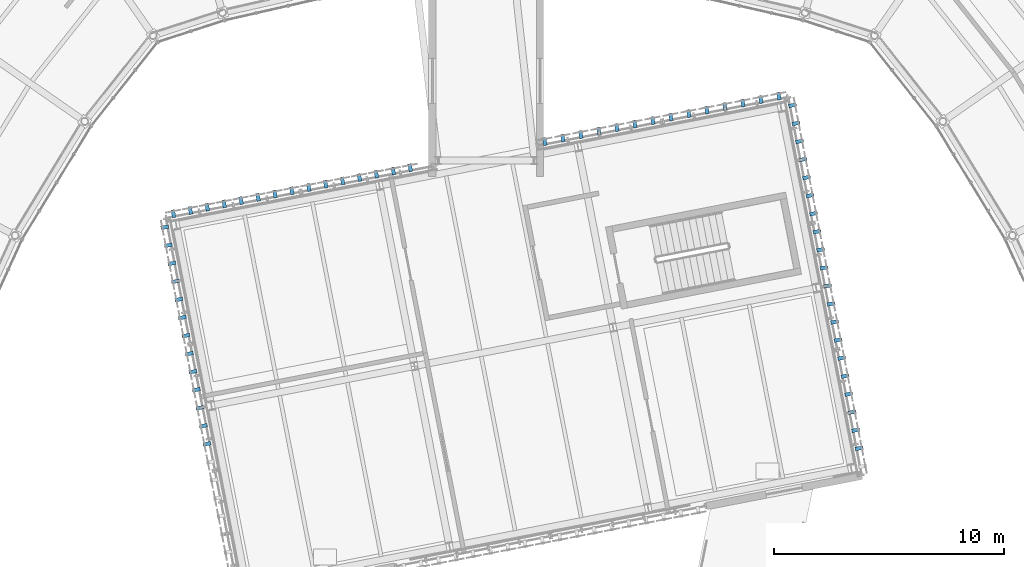
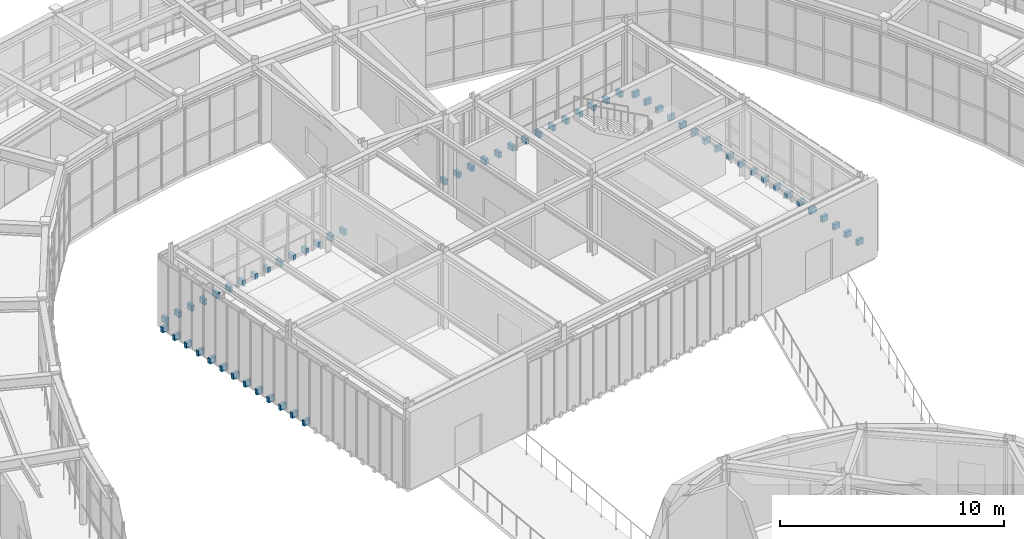
# One storey, part 87 of 103: 62 discrete accessories.
"""IFC4 building model written with IfcOpenShell, lengths in metres."""

from ifc_helpers import new_model, si_unit, direction, frame, origin, origin_2d, place, context, subcontext, project, spatial, rectangle, extrude, material, type_object, element, save


model = new_model("IFC4")

# Units and contexts
model_context = context("Model", 3, precision=1e-05, world=origin(), true_north=direction((0.0, 1.0)))
body_context = subcontext(model_context, "Body", "Model", "MODEL_VIEW")
ifc_project = project(units=[si_unit("LENGTHUNIT", "METRE"), si_unit("AREAUNIT", "SQUARE_METRE"), si_unit("VOLUMEUNIT", "CUBIC_METRE"), si_unit("PLANEANGLEUNIT", "RADIAN"), si_unit("MASSUNIT", "GRAM", prefix="KILO")], contexts=[model_context])

# Site, building, storey
site_placement = place(None, origin())
site = spatial("IfcSite", under=ifc_project, at=site_placement, CompositionType="ELEMENT")
building_placement = place(site_placement, origin())
building = spatial("IfcBuilding", under=site, at=building_placement, Name="Varnklinge Art Gallery", CompositionType="ELEMENT")
storey_placement = place(building_placement, frame((0.0, 0.0, 5.10009765625)))
storey = spatial("IfcBuildingStorey", under=building, at=storey_placement, Name="L01", CompositionType="ELEMENT", Elevation=5.10009765625)

# Discrete accessories
ifc_material = material(Name="Steel S355", Category="steel")
discrete_accessory_type = type_object("IfcDiscreteAccessoryType", Name="BRK-01", PredefinedType="BRACKET", material=ifc_material)
for number, where, z_axis, x_axis, name in (
    (1, (90.5283203125, 68.08642578125, -0.0703125), (0.0, 0.0, 1.0), (-0.190808995377, 0.981627183448, 0.0), "L01 Lattice Outrigger Bracket 2.1.2"),
    (2, (90.375732421875, 68.87158203125, -0.0703125), (0.0, 0.0, 1.0), (-0.190808995377, 0.981627183448, 0.0), "L01 Lattice Outrigger Bracket 2.1.3"),
    (3, (90.222900390625, 69.656982421875, -0.0703125), (0.0, 0.0, 1.0), (-0.190808995377, 0.981627183448, 0.0), "L01 Lattice Outrigger Bracket 2.1.4"),
    (4, (90.0703125, 70.4423828125, -0.0703125), (0.0, 0.0, 1.0), (-0.190808995377, 0.981627183448, 0.0), "L01 Lattice Outrigger Bracket 2.1.5"),
    (5, (89.917724609375, 71.2275390625, -0.0703125), (0.0, 0.0, 1.0), (-0.190808995377, 0.981627183448, 0.0), "L01 Lattice Outrigger Bracket 2.1.6"),
    (6, (89.76513671875, 72.012939453125, -0.0703125), (0.0, 0.0, 1.0), (-0.190808995377, 0.981627183448, 0.0), "L01 Lattice Outrigger Bracket 2.1.7"),
    (7, (89.6123046875, 72.798095703125, -0.0703125), (0.0, 0.0, 1.0), (-0.190808995377, 0.981627183448, 0.0), "L01 Lattice Outrigger Bracket 2.2.1"),
    (8, (89.459716796875, 73.58349609375, -0.0703125), (0.0, 0.0, 1.0), (-0.190808995377, 0.981627183448, 0.0), "L01 Lattice Outrigger Bracket 2.2.2"),
    (9, (89.30712890625, 74.368896484375, -0.0703125), (0.0, 0.0, 1.0), (-0.190808995377, 0.981627183448, 0.0), "L01 Lattice Outrigger Bracket 2.2.3"),
    (10, (89.154541015625, 75.154052734375, -0.0703125), (0.0, 0.0, 1.0), (-0.190808995377, 0.981627183448, 0.0), "L01 Lattice Outrigger Bracket 2.2.4"),
    (11, (89.001708984375, 75.939453125, -0.0703125), (0.0, 0.0, 1.0), (-0.190808995377, 0.981627183448, 0.0), "L01 Lattice Outrigger Bracket 2.2.5"),
    (12, (88.84912109375, 76.724609375, -0.0703125), (0.0, 0.0, 1.0), (-0.190808995377, 0.981627183448, 0.0), "L01 Lattice Outrigger Bracket 2.2.6"),
    (13, (88.696533203125, 77.510009765625, -0.0703125), (0.0, 0.0, 1.0), (-0.190808995377, 0.981627183448, 0.0), "L01 Lattice Outrigger Bracket 2.2.7"),
    (14, (88.5439453125, 78.29541015625, -0.0703125), (0.0, 0.0, 1.0), (-0.190808995377, 0.981627183448, 0.0), "L01 Lattice Outrigger Bracket 2.3.1"),
    (15, (88.39111328125, 79.08056640625, -0.0703125), (0.0, 0.0, 1.0), (-0.190808995377, 0.981627183448, 0.0), "L01 Lattice Outrigger Bracket 2.3.2"),
    (16, (88.238525390625, 79.865966796875, -0.0703125), (0.0, 0.0, 1.0), (-0.190808995377, 0.981627183448, 0.0), "L01 Lattice Outrigger Bracket 2.3.3"),
    (17, (88.0859375, 80.651123046875, -0.0703125), (0.0, 0.0, 1.0), (-0.190808995377, 0.981627183448, 0.0), "L01 Lattice Outrigger Bracket 2.3.4"),
    (18, (87.933349609375, 81.4365234375, -0.0703125), (0.0, 0.0, 1.0), (-0.190808995377, 0.981627183448, 0.0), "L01 Lattice Outrigger Bracket 2.3.5"),
    (19, (87.78076171875, 82.2216796875, -0.0703125), (0.0, 0.0, 1.0), (-0.190808995377, 0.981627183448, 0.0), "L01 Lattice Outrigger Bracket 2.3.6"),
    (20, (87.6279296875, 83.007080078125, -0.0703125), (0.0, 0.0, 1.0), (-0.190808995377, 0.981627183448, 0.0), "L01 Lattice Outrigger Bracket 2.3.7"),
    (21, (87.03125, 83.41064453125, -0.0703125), (0.0, 0.0, 1.0), (-0.981627183448, -0.190808995377, 0.0), "L01 Lattice Outrigger Bracket 3.1.1"),
    (22, (86.248046875, 83.25830078125, -0.0703125), (0.0, 0.0, 1.0), (-0.981627183448, -0.190808995377, 0.0), "L01 Lattice Outrigger Bracket 3.1.2"),
    (23, (85.46484375, 83.106201171875, -0.0703125), (0.0, 0.0, 1.0), (-0.981627183448, -0.190808995377, 0.0), "L01 Lattice Outrigger Bracket 3.1.3"),
    (24, (84.681884765625, 82.9541015625, -0.0703125), (0.0, 0.0, 1.0), (-0.981627183448, -0.190808995377, 0.0), "L01 Lattice Outrigger Bracket 3.1.4"),
    (25, (83.898681640625, 82.8017578125, -0.0703125), (0.0, 0.0, 1.0), (-0.981627183448, -0.190808995377, 0.0), "L01 Lattice Outrigger Bracket 3.1.5"),
    (26, (83.115478515625, 82.649658203125, -0.0703125), (0.0, 0.0, 1.0), (-0.981627183448, -0.190808995377, 0.0), "L01 Lattice Outrigger Bracket 3.1.6"),
    (27, (82.33251953125, 82.497314453125, -0.0703125), (0.0, 0.0, 1.0), (-0.981627183448, -0.190808995377, 0.0), "L01 Lattice Outrigger Bracket 3.1.7"),
    (28, (81.54931640625, 82.34521484375, -0.0703125), (0.0, 0.0, 1.0), (-0.981627183448, -0.190808995377, 0.0), "L01 Lattice Outrigger Bracket 3.2.1"),
    (29, (80.76611328125, 82.19287109375, -0.0703125), (0.0, 0.0, 1.0), (-0.981627183448, -0.190808995377, 0.0), "L01 Lattice Outrigger Bracket 3.2.2"),
    (30, (79.983154296875, 82.040771484375, -0.0703125), (0.0, 0.0, 1.0), (-0.981627183448, -0.190808995377, 0.0), "L01 Lattice Outrigger Bracket 3.2.3"),
    (31, (79.199951171875, 81.888427734375, -0.0703125), (0.0, 0.0, 1.0), (-0.981627183448, -0.190808995377, 0.0), "L01 Lattice Outrigger Bracket 3.2.4"),
    (32, (78.416748046875, 81.736083984375, -0.0703125), (0.0, 0.0, 1.0), (-0.981627183448, -0.190808995377, 0.0), "L01 Lattice Outrigger Bracket 3.2.5"),
    (33, (77.6337890625, 81.583984375, -0.0703125), (0.0, 0.0, 1.0), (-0.981627183448, -0.190808995377, 0.0), "L01 Lattice Outrigger Bracket 3.2.6"),
    (34, (76.8505859375, 81.431884765625, -0.0703125), (0.0, 0.0, 1.0), (-0.981627183448, -0.190808995377, 0.0), "L01 Lattice Outrigger Bracket 3.2.7"),
    (35, (70.99560546875, 80.293701171875, -0.0703125), (0.0, 0.0, 1.0), (-0.981627183448, -0.190808995377, 0.0), "L01 Lattice Outrigger Bracket 3.1.2"),
    (36, (70.260009765625, 80.150634765625, -0.0703125), (0.0, 0.0, 1.0), (-0.981627183448, -0.190808995377, 0.0), "L01 Lattice Outrigger Bracket 3.1.3"),
    (37, (69.5244140625, 80.0078125, -0.0703125), (0.0, 0.0, 1.0), (-0.981627183448, -0.190808995377, 0.0), "L01 Lattice Outrigger Bracket 3.1.4"),
    (38, (68.788818359375, 79.86474609375, -0.0703125), (0.0, 0.0, 1.0), (-0.981627183448, -0.190808995377, 0.0), "L01 Lattice Outrigger Bracket 3.1.5"),
    (39, (68.05322265625, 79.7216796875, -0.0703125), (0.0, 0.0, 1.0), (-0.981627183448, -0.190808995377, 0.0), "L01 Lattice Outrigger Bracket 3.1.6"),
    (40, (67.317626953125, 79.578857421875, -0.0703125), (0.0, 0.0, 1.0), (-0.981627183448, -0.190808995377, 0.0), "L01 Lattice Outrigger Bracket 3.1.7"),
    (41, (66.582275390625, 79.435791015625, -0.0703125), (0.0, 0.0, 1.0), (-0.981627183448, -0.190808995377, 0.0), "L01 Lattice Outrigger Bracket 3.1.8"),
    (42, (65.8466796875, 79.292724609375, -0.0703125), (0.0, 0.0, 1.0), (-0.981627183448, -0.190808995377, 0.0), "L01 Lattice Outrigger Bracket 3.2.1"),
    (43, (65.111083984375, 79.14990234375, -0.0703125), (0.0, 0.0, 1.0), (-0.981627183448, -0.190808995377, 0.0), "L01 Lattice Outrigger Bracket 3.2.2"),
    (44, (64.37548828125, 79.0068359375, -0.0703125), (0.0, 0.0, 1.0), (-0.981627183448, -0.190808995377, 0.0), "L01 Lattice Outrigger Bracket 3.2.3"),
    (45, (63.639892578125, 78.864013671875, -0.0703125), (0.0, 0.0, 1.0), (-0.981627183448, -0.190808995377, 0.0), "L01 Lattice Outrigger Bracket 3.2.4"),
    (46, (62.904296875, 78.720947265625, -0.0703125), (0.0, 0.0, 1.0), (-0.981627183448, -0.190808995377, 0.0), "L01 Lattice Outrigger Bracket 3.2.5"),
    (47, (62.168701171875, 78.577880859375, -0.0703125), (0.0, 0.0, 1.0), (-0.981627183448, -0.190808995377, 0.0), "L01 Lattice Outrigger Bracket 3.2.6"),
    (48, (61.43310546875, 78.43505859375, -0.0703125), (0.0, 0.0, 1.0), (-0.981627183448, -0.190808995377, 0.0), "L01 Lattice Outrigger Bracket 3.2.7"),
    (49, (60.697509765625, 78.2919921875, -0.0703125), (0.0, 0.0, 1.0), (-0.981627183448, -0.190808995377, 0.0), "L01 Lattice Outrigger Bracket 3.2.8"),
    (50, (60.319091796875, 77.698974609375, -0.0703125), (0.0, 0.0, 1.0), (0.190808995377, -0.981627183448, 0.0), "L01 Lattice Outrigger Bracket 4.1.1"),
    (51, (60.4716796875, 76.91357421875, -0.0703125), (0.0, 0.0, 1.0), (0.190808995377, -0.981627183448, 0.0), "L01 Lattice Outrigger Bracket 4.1.2"),
    (52, (60.624267578125, 76.12841796875, -0.0703125), (0.0, 0.0, 1.0), (0.190808995377, -0.981627183448, 0.0), "L01 Lattice Outrigger Bracket 4.1.3"),
    (53, (60.777099609375, 75.343017578125, -0.0703125), (0.0, 0.0, 1.0), (0.190808995377, -0.981627183448, 0.0), "L01 Lattice Outrigger Bracket 4.1.4"),
    (54, (60.9296875, 74.5576171875, -0.0703125), (0.0, 0.0, 1.0), (0.190808995377, -0.981627183448, 0.0), "L01 Lattice Outrigger Bracket 4.1.5"),
    (55, (61.082275390625, 73.7724609375, -0.0703125), (0.0, 0.0, 1.0), (0.190808995377, -0.981627183448, 0.0), "L01 Lattice Outrigger Bracket 4.1.6"),
    (56, (61.23486328125, 72.987060546875, -0.0703125), (0.0, 0.0, 1.0), (0.190808995377, -0.981627183448, 0.0), "L01 Lattice Outrigger Bracket 4.1.7"),
    (57, (61.3876953125, 72.201904296875, -0.0703125), (0.0, 0.0, 1.0), (0.190808995377, -0.981627183448, 0.0), "L01 Lattice Outrigger Bracket 4.2.1"),
    (58, (61.540283203125, 71.41650390625, -0.0703125), (0.0, 0.0, 1.0), (0.190808995377, -0.981627183448, 0.0), "L01 Lattice Outrigger Bracket 4.2.2"),
    (59, (61.69287109375, 70.631103515625, -0.0703125), (0.0, 0.0, 1.0), (0.190808995377, -0.981627183448, 0.0), "L01 Lattice Outrigger Bracket 4.2.3"),
    (60, (61.845458984375, 69.845947265625, -0.0703125), (0.0, 0.0, 1.0), (0.190808995377, -0.981627183448, 0.0), "L01 Lattice Outrigger Bracket 4.2.4"),
    (61, (61.998291015625, 69.060546875, -0.0703125), (0.0, 0.0, 1.0), (0.190808995377, -0.981627183448, 0.0), "L01 Lattice Outrigger Bracket 4.2.5"),
    (62, (62.15087890625, 68.275390625, -0.0703125), (0.0, 0.0, 1.0), (0.190808995377, -0.981627183448, 0.0), "L01 Lattice Outrigger Bracket 4.2.6"),
):
    element("IfcDiscreteAccessory", number, at=place(storey_placement, frame(where, z_axis=z_axis, x_axis=x_axis)), inside=storey, type_object=discrete_accessory_type, Name=name, PredefinedType="BRACKET", context=body_context, shape_type="SweptSolid", body=[
        extrude(rectangle(XDim=0.159912109375, YDim=0.340087890625, at=origin_2d()), origin(), (0.0, 0.0, 1.0), 0.300048828125),
    ])

save(model, "model.ifc")
